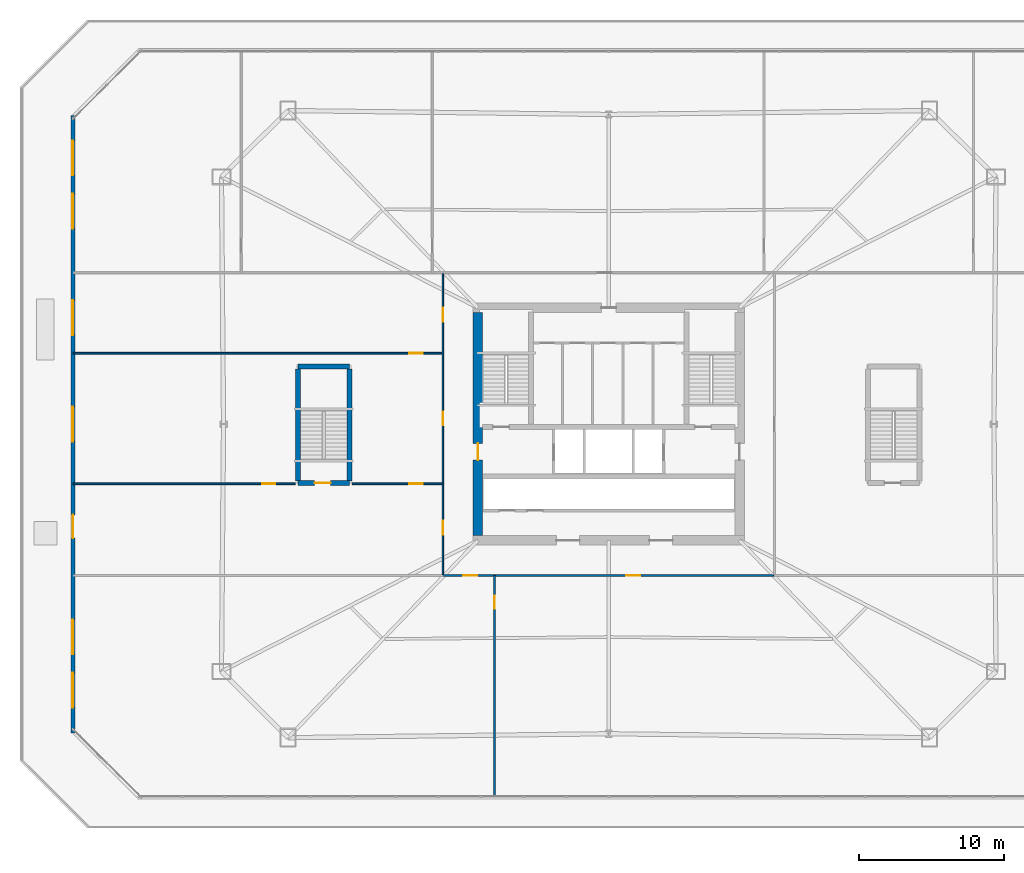
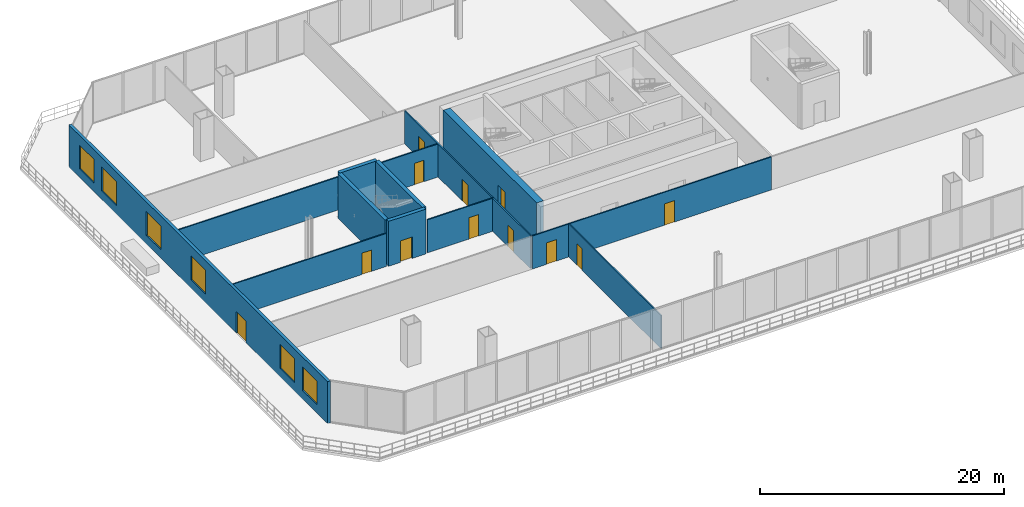
# One storey, part 25 of 31: 12 doors, 12 walls, 6 windows, 18 openings.
"""IFC4 building model written with IfcOpenShell, lengths in metres."""

from ifc_helpers import new_model, si_unit, direction, frame, frame_2d, origin, place, context, subcontext, project, spatial, rectangle, extrude, material, layer, layer_set, type_object, element, fill, save


model = new_model("IFC4")

# Units and contexts
model_context = context("Model", 3, precision=1e-05, world=origin(), true_north=direction((0.0, 1.0)))
body_context = subcontext(model_context, "Body", "Model", "MODEL_VIEW")
ifc_project = project(units=[si_unit("LENGTHUNIT", "METRE"), si_unit("AREAUNIT", "SQUARE_METRE"), si_unit("VOLUMEUNIT", "CUBIC_METRE"), si_unit("PLANEANGLEUNIT", "RADIAN"), si_unit("MASSUNIT", "GRAM", prefix="KILO")], contexts=[model_context])

# Site, building, storey
site_placement = place(None, origin())
site = spatial("IfcSite", under=ifc_project, at=site_placement, CompositionType="ELEMENT")
building_placement = place(site_placement, origin())
building = spatial("IfcBuilding", under=site, at=building_placement, Name="Caelvoria Tower", CompositionType="ELEMENT")
storey_placement = place(building_placement, frame((0.0, 0.0, 9.5)))
storey = spatial("IfcBuildingStorey", under=building, at=storey_placement, Name="L02", CompositionType="ELEMENT", Elevation=9.5)

# Wall, opening, door
ifc_material_1 = material(Name="Concrete C50/60", Category="concrete")
ifc_layer_1 = layer(ifc_material_1, 0.35009765625, Name="Concrete C50/60")
ifc_layer_set_1 = layer_set([ifc_layer_1], Name="Core Internal Shear Wall 350 - Concrete C50/60")
wall_type_1 = type_object("IfcWallType", Name="Core Internal Shear Wall 350", PredefinedType="SHEAR", material=ifc_layer_set_1)
wall_1_placement = place(storey_placement, frame((24.625, 27.949951171875, 0.0), z_axis=(0.0, 0.0, 1.0), x_axis=(1.0, 0.0, 0.0)))
wall_1 = element("IfcWall", 1, at=wall_1_placement, inside=storey, type_object=wall_type_1, Name="Podium Stair Shear Wall L02 ST3 S", PredefinedType="SHEAR", context=body_context, shape_type="SweptSolid", body=[
    extrude(rectangle(XDim=3.550048828125, YDim=0.35009765625, at=frame_2d((1.77490234375, 0.0))), origin(), (0.0, 0.0, 1.0), 4.5),
])
opening_1_placement = place(wall_1_placement, frame((1.14990234375, 0.0, 0.0)))
opening_1 = element("IfcOpeningElement", 2, at=opening_1_placement, cuts=wall_1, Name="Opening ID-01", PredefinedType="OPENING", context=body_context, shape_type="SweptSolid", body=[
    extrude(rectangle(XDim=1.10009765625, YDim=2.14990234375, at=frame_2d((0.550048828125, 1.074951171875))), frame((0.0, 0.18505859375, 0.0), z_axis=(0.0, -1.0, 0.0), x_axis=(1.0, 0.0, 0.0)), (0.0, 0.0, 1.0), 0.3701171875),
])
ifc_material_2 = material(Name="Painted Hollow Steel Fire Door", Category="steel")
door_type_1 = type_object("IfcDoorType", Name="Fire Door FD90S 1100x2150", OperationType="NOTDEFINED", PredefinedType="DOOR", material=ifc_material_2)
door_1_placement = place(opening_1_placement, origin())
door_1 = element("IfcDoor", 3, at=door_1_placement, inside=storey, type_object=door_type_1, Name="Podium Stair Door L02 ST3", OperationType="SINGLE_SWING_RIGHT", OverallHeight=2.14990234375, OverallWidth=1.10009765625, PredefinedType="DOOR", context=body_context, shape_type="SweptSolid", body=[
    extrude(rectangle(XDim=1.10009765625, YDim=2.14990234375, at=frame_2d((0.550048828125, 1.074951171875))), frame((0.0, 0.02490234375, 0.0), z_axis=(0.0, -1.0, 0.0), x_axis=(1.0, 0.0, 0.0)), (0.0, 0.0, 1.0), 0.050048828125),
])
fill(opening_1, door_1)

# Walls
wall_2_placement = place(storey_placement, frame((24.625, 35.949951171875, 0.0), z_axis=(0.0, 0.0, 1.0), x_axis=(1.0, 0.0, 0.0)))
element("IfcWall", 4, at=wall_2_placement, inside=storey, type_object=wall_type_1, Name="Podium Stair Shear Wall L02 ST3 N", PredefinedType="SHEAR", context=body_context, shape_type="SweptSolid", body=[
    extrude(rectangle(XDim=3.550048828125, YDim=0.35009765625, at=frame_2d((1.77490234375, 0.0))), origin(), (0.0, 0.0, 1.0), 4.5),
])
for number, where, z_axis, x_axis, name in (
    (5, (24.625, 28.10009765625, 0.0), (0.0, 0.0, 1.0), (0.0, 1.0, 0.0), "Podium Stair Shear Wall L02 ST3 W"),
    (6, (28.175048828125, 28.10009765625, 0.0), (0.0, 0.0, 1.0), (0.0, 1.0, 0.0), "Podium Stair Shear Wall L02 ST3 E"),
):
    element("IfcWall", number, at=place(storey_placement, frame(where, z_axis=z_axis, x_axis=x_axis)), inside=storey, type_object=wall_type_1, Name=name, PredefinedType="SHEAR", context=body_context, shape_type="SweptSolid", body=[
        extrude(rectangle(XDim=7.699951171875, YDim=0.35009765625, at=frame_2d((3.85009765625, 0.0))), origin(), (0.0, 0.0, 1.0), 4.5),
    ])

# Wall, openings, windows, door
ifc_material_3 = material(Name="Precast Concrete C40/50 with Bronze Cladding", Category="concrete")
ifc_layer_2 = layer(ifc_material_3, 0.280029296875, Name="Precast Concrete C40/50 with Bronze Cladding")
ifc_layer_set_2 = layer_set([ifc_layer_2], Name="Exterior Precast Concrete C40/50 Bronze-Clad Facade Wall 280 - Precast Concrete C40/50 with Bronze Cladding")
wall_type_2 = type_object("IfcWallType", Name="Exterior Precast Concrete C40/50 Bronze-Clad Facade Wall 280", PredefinedType="STANDARD", material=ifc_layer_set_2)
wall_3_placement = place(storey_placement, frame((9.139892578125, 53.239990234375, 0.0), z_axis=(0.0, 0.0, 1.0), x_axis=(0.0, -1.0, 0.0)))
wall_3 = element("IfcWall", 7, at=wall_3_placement, inside=storey, type_object=wall_type_2, Name="Exterior Facade Wall L02-E6", PredefinedType="STANDARD", context=body_context, shape_type="SweptSolid", body=[
    extrude(rectangle(XDim=42.47998046875, YDim=0.280029296875, at=frame_2d((21.239990234375, 0.0))), origin(), (0.0, 0.0, 1.0), 4.2099609375),
])
opening_2_placement = place(wall_3_placement, frame((27.489990234375, 0.0, 0.0)))
opening_2 = element("IfcOpeningElement", 8, at=opening_2_placement, cuts=wall_3, Name="Opening ED-03", PredefinedType="OPENING", context=body_context, shape_type="SweptSolid", body=[
    extrude(rectangle(XDim=1.60009765625, YDim=2.14990234375, at=frame_2d((0.800048828125, 1.074951171875))), frame((0.0, 0.14990234375, 0.0), z_axis=(0.0, -1.0, 0.0), x_axis=(1.0, 0.0, 0.0)), (0.0, 0.0, 1.0), 0.300048828125),
])
opening_3_placement = place(wall_3_placement, frame((1.73095703125, 0.0, 0.85009765625)))
opening_3 = element("IfcOpeningElement", 9, at=opening_3_placement, cuts=wall_3, Name="Opening WN-04", PredefinedType="OPENING", context=body_context, shape_type="SweptSolid", body=[
    extrude(rectangle(XDim=2.39990234375, YDim=2.39990234375, at=frame_2d((1.199951171875, 1.199951171875))), frame((0.0, 0.14990234375, 0.0), z_axis=(0.0, -1.0, 0.0), x_axis=(1.0, 0.0, 0.0)), (0.0, 0.0, 1.0), 0.300048828125),
])
opening_4_placement = place(wall_3_placement, frame((5.392578125, 0.0, 0.85009765625)))
opening_4 = element("IfcOpeningElement", 10, at=opening_4_placement, cuts=wall_3, Name="Opening WN-04", PredefinedType="OPENING", context=body_context, shape_type="SweptSolid", body=[
    extrude(rectangle(XDim=2.39990234375, YDim=2.39990234375, at=frame_2d((1.199951171875, 1.199951171875))), frame((0.0, 0.14990234375, 0.0), z_axis=(0.0, -1.0, 0.0), x_axis=(1.0, 0.0, 0.0)), (0.0, 0.0, 1.0), 0.300048828125),
])
opening_5_placement = place(wall_3_placement, frame((12.71630859375, 0.0, 0.85009765625)))
opening_5 = element("IfcOpeningElement", 11, at=opening_5_placement, cuts=wall_3, Name="Opening WN-04", PredefinedType="OPENING", context=body_context, shape_type="SweptSolid", body=[
    extrude(rectangle(XDim=2.39990234375, YDim=2.39990234375, at=frame_2d((1.199951171875, 1.199951171875))), frame((0.0, 0.14990234375, 0.0), z_axis=(0.0, -1.0, 0.0), x_axis=(1.0, 0.0, 0.0)), (0.0, 0.0, 1.0), 0.300048828125),
])
opening_6_placement = place(wall_3_placement, frame((20.0400390625, 0.0, 0.85009765625)))
opening_6 = element("IfcOpeningElement", 12, at=opening_6_placement, cuts=wall_3, Name="Opening WN-04", PredefinedType="OPENING", context=body_context, shape_type="SweptSolid", body=[
    extrude(rectangle(XDim=2.39990234375, YDim=2.39990234375, at=frame_2d((1.199951171875, 1.199951171875))), frame((0.0, 0.14990234375, 0.0), z_axis=(0.0, -1.0, 0.0), x_axis=(1.0, 0.0, 0.0)), (0.0, 0.0, 1.0), 0.300048828125),
])
opening_7_placement = place(wall_3_placement, frame((34.687255859375, 0.0, 0.85009765625)))
opening_7 = element("IfcOpeningElement", 13, at=opening_7_placement, cuts=wall_3, Name="Opening WN-04", PredefinedType="OPENING", context=body_context, shape_type="SweptSolid", body=[
    extrude(rectangle(XDim=2.39990234375, YDim=2.39990234375, at=frame_2d((1.199951171875, 1.199951171875))), frame((0.0, 0.14990234375, 0.0), z_axis=(0.0, -1.0, 0.0), x_axis=(1.0, 0.0, 0.0)), (0.0, 0.0, 1.0), 0.300048828125),
])
opening_8_placement = place(wall_3_placement, frame((38.34912109375, 0.0, 0.85009765625)))
opening_8 = element("IfcOpeningElement", 14, at=opening_8_placement, cuts=wall_3, Name="Opening WN-04", PredefinedType="OPENING", context=body_context, shape_type="SweptSolid", body=[
    extrude(rectangle(XDim=2.39990234375, YDim=2.39990234375, at=frame_2d((1.199951171875, 1.199951171875))), frame((0.0, 0.14990234375, 0.0), z_axis=(0.0, -1.0, 0.0), x_axis=(1.0, 0.0, 0.0)), (0.0, 0.0, 1.0), 0.300048828125),
])
ifc_material_4 = material(Name="Low-E Tinted Glass in Bronze Aluminium Frame", Category="aluminium")
window_type = type_object("IfcWindowType", Name="Podium Commercial Ribbon Window 2400x2400", PartitioningType="SINGLE_PANEL", PredefinedType="WINDOW", material=ifc_material_4)
window_1_placement = place(opening_3_placement, origin())
window_1 = element("IfcWindow", 15, at=window_1_placement, inside=storey, type_object=window_type, Name="Facade Window L02-E6-00", OverallHeight=2.39990234375, OverallWidth=2.39990234375, PartitioningType="SINGLE_PANEL", PredefinedType="WINDOW", context=body_context, shape_type="SweptSolid", body=[
    extrude(rectangle(XDim=2.39990234375, YDim=2.39990234375, at=frame_2d((1.199951171875, 1.199951171875))), frame((0.0, 0.030029296875, 0.0), z_axis=(0.0, -1.0, 0.0), x_axis=(1.0, 0.0, 0.0)), (0.0, 0.0, 1.0), 0.06005859375),
])
fill(opening_3, window_1)
window_2_placement = place(opening_4_placement, origin())
window_2 = element("IfcWindow", 16, at=window_2_placement, inside=storey, type_object=window_type, Name="Facade Window L02-E6-01", OverallHeight=2.39990234375, OverallWidth=2.39990234375, PartitioningType="SINGLE_PANEL", PredefinedType="WINDOW", context=body_context, shape_type="SweptSolid", body=[
    extrude(rectangle(XDim=2.39990234375, YDim=2.39990234375, at=frame_2d((1.199951171875, 1.199951171875))), frame((0.0, 0.030029296875, 0.0), z_axis=(0.0, -1.0, 0.0), x_axis=(1.0, 0.0, 0.0)), (0.0, 0.0, 1.0), 0.06005859375),
])
fill(opening_4, window_2)
window_3_placement = place(opening_5_placement, origin())
window_3 = element("IfcWindow", 17, at=window_3_placement, inside=storey, type_object=window_type, Name="Facade Window L02-E6-03", OverallHeight=2.39990234375, OverallWidth=2.39990234375, PartitioningType="SINGLE_PANEL", PredefinedType="WINDOW", context=body_context, shape_type="SweptSolid", body=[
    extrude(rectangle(XDim=2.39990234375, YDim=2.39990234375, at=frame_2d((1.199951171875, 1.199951171875))), frame((0.0, 0.030029296875, 0.0), z_axis=(0.0, -1.0, 0.0), x_axis=(1.0, 0.0, 0.0)), (0.0, 0.0, 1.0), 0.06005859375),
])
fill(opening_5, window_3)
window_4_placement = place(opening_6_placement, origin())
window_4 = element("IfcWindow", 18, at=window_4_placement, inside=storey, type_object=window_type, Name="Facade Window L02-E6-05", OverallHeight=2.39990234375, OverallWidth=2.39990234375, PartitioningType="SINGLE_PANEL", PredefinedType="WINDOW", context=body_context, shape_type="SweptSolid", body=[
    extrude(rectangle(XDim=2.39990234375, YDim=2.39990234375, at=frame_2d((1.199951171875, 1.199951171875))), frame((0.0, 0.030029296875, 0.0), z_axis=(0.0, -1.0, 0.0), x_axis=(1.0, 0.0, 0.0)), (0.0, 0.0, 1.0), 0.06005859375),
])
fill(opening_6, window_4)
window_5_placement = place(opening_7_placement, origin())
window_5 = element("IfcWindow", 19, at=window_5_placement, inside=storey, type_object=window_type, Name="Facade Window L02-E6-09", OverallHeight=2.39990234375, OverallWidth=2.39990234375, PartitioningType="SINGLE_PANEL", PredefinedType="WINDOW", context=body_context, shape_type="SweptSolid", body=[
    extrude(rectangle(XDim=2.39990234375, YDim=2.39990234375, at=frame_2d((1.199951171875, 1.199951171875))), frame((0.0, 0.030029296875, 0.0), z_axis=(0.0, -1.0, 0.0), x_axis=(1.0, 0.0, 0.0)), (0.0, 0.0, 1.0), 0.06005859375),
])
fill(opening_7, window_5)
window_6_placement = place(opening_8_placement, origin())
window_6 = element("IfcWindow", 20, at=window_6_placement, inside=storey, type_object=window_type, Name="Facade Window L02-E6-10", OverallHeight=2.39990234375, OverallWidth=2.39990234375, PartitioningType="SINGLE_PANEL", PredefinedType="WINDOW", context=body_context, shape_type="SweptSolid", body=[
    extrude(rectangle(XDim=2.39990234375, YDim=2.39990234375, at=frame_2d((1.199951171875, 1.199951171875))), frame((0.0, 0.030029296875, 0.0), z_axis=(0.0, -1.0, 0.0), x_axis=(1.0, 0.0, 0.0)), (0.0, 0.0, 1.0), 0.06005859375),
])
fill(opening_8, window_6)
ifc_material_5 = material(Name="Anodised Bronze Aluminium and Laminated Glass", Category="aluminium")
door_type_2 = type_object("IfcDoorType", Name="Terrace Garden Double Glazed Door 1600x2150", OperationType="NOTDEFINED", PredefinedType="DOOR", material=ifc_material_5)
door_2_placement = place(opening_2_placement, origin())
door_2 = element("IfcDoor", 21, at=door_2_placement, inside=storey, type_object=door_type_2, Name="Terrace Roof Garden Door L02-W", OperationType="DOUBLE_DOOR_SINGLE_SWING", OverallHeight=2.14990234375, OverallWidth=1.60009765625, PredefinedType="DOOR", context=body_context, shape_type="SweptSolid", body=[
    extrude(rectangle(XDim=1.60009765625, YDim=2.14990234375, at=frame_2d((0.800048828125, 1.074951171875))), frame((0.0, 0.02490234375, 0.0), z_axis=(0.0, -1.0, 0.0), x_axis=(1.0, 0.0, 0.0)), (0.0, 0.0, 1.0), 0.050048828125),
])
fill(opening_2, door_2)

# Wall, opening, door
ifc_material_6 = material(Name="Concrete C60/75", Category="concrete")
ifc_layer_3 = layer(ifc_material_6, 0.64990234375, Name="Concrete C60/75")
ifc_layer_set_3 = layer_set([ifc_layer_3], Name="Lower Core Shear Wall 650 - Concrete C60/75")
wall_type_3 = type_object("IfcWallType", Name="Lower Core Shear Wall 650", PredefinedType="SHEAR", material=ifc_layer_set_3)
wall_4_placement = place(storey_placement, frame((37.0, 24.324951171875, 0.0), z_axis=(0.0, 0.0, 1.0), x_axis=(0.0, 1.0, 0.0)))
wall_4 = element("IfcWall", 22, at=wall_4_placement, inside=storey, type_object=wall_type_3, Name="Core Shear Wall L02 W", PredefinedType="SHEAR", context=body_context, shape_type="SweptSolid", body=[
    extrude(rectangle(XDim=15.35009765625, YDim=0.64990234375, at=frame_2d((7.675048828125, 0.0))), origin(), (0.0, 0.0, 1.0), 4.219970703125),
])
opening_9_placement = place(wall_4_placement, frame((5.199951171875, 0.0, 0.0)))
opening_9 = element("IfcOpeningElement", 23, at=opening_9_placement, cuts=wall_4, Name="Opening ID-02", PredefinedType="OPENING", context=body_context, shape_type="SweptSolid", body=[
    extrude(rectangle(XDim=1.14990234375, YDim=2.14990234375, at=frame_2d((0.574951171875, 1.074951171875))), frame((0.0, 0.3349609375, 0.0), z_axis=(0.0, -1.0, 0.0), x_axis=(1.0, 0.0, 0.0)), (0.0, 0.0, 1.0), 0.669921875),
])
door_type_3 = type_object("IfcDoorType", Name="Fire Door FD60S 1150x2150", OperationType="NOTDEFINED", PredefinedType="DOOR", material=ifc_material_2)
door_3_placement = place(opening_9_placement, origin())
door_3 = element("IfcDoor", 24, at=door_3_placement, inside=storey, type_object=door_type_3, Name="Core Door DR-L02-FFLW-OUT", OperationType="SINGLE_SWING_LEFT", OverallHeight=2.14990234375, OverallWidth=1.14990234375, PredefinedType="DOOR", context=body_context, shape_type="SweptSolid", body=[
    extrude(rectangle(XDim=1.14990234375, YDim=2.14990234375, at=frame_2d((0.574951171875, 1.074951171875))), frame((0.0, 0.02490234375, 0.0), z_axis=(0.0, -1.0, 0.0), x_axis=(1.0, 0.0, 0.0)), (0.0, 0.0, 1.0), 0.050048828125),
])
fill(opening_9, door_3)

ifc_material_7 = material(Name="Acoustic Timber-Clad Operable Panel", Category="wood")
ifc_layer_4 = layer(ifc_material_7, 0.125, Name="Acoustic Timber-Clad Operable Panel")
ifc_layer_set_4 = layer_set([ifc_layer_4], Name="Operable Acoustic Folding Partition Wall 125 - Acoustic Timber-Clad Operable Panel")
wall_type_4 = type_object("IfcWallType", Name="Operable Acoustic Folding Partition Wall 125", PredefinedType="MOVABLE", material=ifc_layer_set_4)
wall_5_placement = place(storey_placement, frame((38.14892578125, 21.590087890625, 0.0), z_axis=(0.0, 0.0, 1.0), x_axis=(0.0, -1.0, 0.0)))
wall_5 = element("IfcWall", 25, at=wall_5_placement, inside=storey, type_object=wall_type_4, Name="Interior Partition IW-L02-SD-00-0", PredefinedType="MOVABLE", context=body_context, shape_type="SweptSolid", body=[
    extrude(rectangle(XDim=15.210205078125, YDim=0.1201171875, at=frame_2d((7.60498046875, 0.0))), origin(), (0.0, 0.0, 1.0), 3.31005859375),
])
opening_10_placement = place(wall_5_placement, frame((1.39990234375, 0.0, 0.0)))
opening_10 = element("IfcOpeningElement", 26, at=opening_10_placement, cuts=wall_5, Name="Opening ID-06", PredefinedType="OPENING", context=body_context, shape_type="SweptSolid", body=[
    extrude(rectangle(XDim=0.89990234375, YDim=2.14990234375, at=frame_2d((0.449951171875, 1.074951171875))), frame((0.0, 0.070068359375, 0.0), z_axis=(0.0, -1.0, 0.0), x_axis=(1.0, 0.0, 0.0)), (0.0, 0.0, 1.0), 0.14013671875),
])
ifc_material_8 = material(Name="Engineered Andean Oak Veneer Door", Category="wood")
door_type_4 = type_object("IfcDoorType", Name="Interior Timber Door 900x2150", OperationType="NOTDEFINED", PredefinedType="DOOR", material=ifc_material_8)
door_4_placement = place(opening_10_placement, origin())
door_4 = element("IfcDoor", 27, at=door_4_placement, inside=storey, type_object=door_type_4, Name="Interior Door DR-L02-SM-00-0", OperationType="SINGLE_SWING_RIGHT", OverallHeight=2.14990234375, OverallWidth=0.89990234375, PredefinedType="DOOR", context=body_context, shape_type="SweptSolid", body=[
    extrude(rectangle(XDim=0.89990234375, YDim=2.14990234375, at=frame_2d((0.449951171875, 1.074951171875))), frame((0.0, 0.02490234375, 0.0), z_axis=(0.0, -1.0, 0.0), x_axis=(1.0, 0.0, 0.0)), (0.0, 0.0, 1.0), 0.050048828125),
])
fill(opening_10, door_4)

# Wall, openings, doors
ifc_material_9 = material(Name="Acoustic Gypsum Board on Light-Gauge Stud", Category="gypsum")
ifc_layer_5 = layer(ifc_material_9, 0.1201171875, Name="Acoustic Gypsum Board on Light-Gauge Stud")
ifc_layer_set_5 = layer_set([ifc_layer_5], Name="Tenant Suite Acoustic Partition Wall 120 - Acoustic Gypsum Board on Light-Gauge Stud")
wall_type_5 = type_object("IfcWallType", Name="Tenant Suite Acoustic Partition Wall 120", PredefinedType="PARTITIONING", material=ifc_layer_set_5)
wall_6_placement = place(storey_placement, frame((34.64990234375, 21.590087890625, 0.0), z_axis=(0.0, 0.0, 1.0), x_axis=(1.0, 0.0, 0.0)))
wall_6 = element("IfcWall", 28, at=wall_6_placement, inside=storey, type_object=wall_type_5, Name="Interior Partition IW-L02-SCW-0", PredefinedType="PARTITIONING", context=body_context, shape_type="SweptSolid", body=[
    extrude(rectangle(XDim=22.7001953125, YDim=0.1201171875, at=frame_2d((11.35009765625, 0.0))), origin(), (0.0, 0.0, 1.0), 3.31005859375),
])
opening_11_placement = place(wall_6_placement, frame((1.344482421875, 0.0, 0.0)))
opening_11 = element("IfcOpeningElement", 29, at=opening_11_placement, cuts=wall_6, Name="Opening ID-05", PredefinedType="OPENING", context=body_context, shape_type="SweptSolid", body=[
    extrude(rectangle(XDim=0.949951171875, YDim=2.14990234375, at=frame_2d((0.47509765625, 1.074951171875))), frame((0.0, 0.070068359375, 0.0), z_axis=(0.0, -1.0, 0.0), x_axis=(1.0, 0.0, 0.0)), (0.0, 0.0, 1.0), 0.14013671875),
])
opening_12_placement = place(wall_6_placement, frame((12.554443359375, 0.0, 0.0)))
opening_12 = element("IfcOpeningElement", 30, at=opening_12_placement, cuts=wall_6, Name="Opening ID-05", PredefinedType="OPENING", context=body_context, shape_type="SweptSolid", body=[
    extrude(rectangle(XDim=0.949951171875, YDim=2.14990234375, at=frame_2d((0.47509765625, 1.074951171875))), frame((0.0, 0.070068359375, 0.0), z_axis=(0.0, -1.0, 0.0), x_axis=(1.0, 0.0, 0.0)), (0.0, 0.0, 1.0), 0.14013671875),
])
door_type_5 = type_object("IfcDoorType", Name="Interior Timber Door 950x2150", OperationType="NOTDEFINED", PredefinedType="DOOR", material=ifc_material_8)
door_5_placement = place(opening_11_placement, origin())
door_5 = element("IfcDoor", 31, at=door_5_placement, inside=storey, type_object=door_type_5, Name="Interior Door DR-L02-SC-00-0", OperationType="SINGLE_SWING_LEFT", OverallHeight=2.14990234375, OverallWidth=0.949951171875, PredefinedType="DOOR", context=body_context, shape_type="SweptSolid", body=[
    extrude(rectangle(XDim=0.949951171875, YDim=2.14990234375, at=frame_2d((0.47509765625, 1.074951171875))), frame((0.0, 0.02490234375, 0.0), z_axis=(0.0, -1.0, 0.0), x_axis=(1.0, 0.0, 0.0)), (0.0, 0.0, 1.0), 0.050048828125),
])
fill(opening_11, door_5)
door_6_placement = place(opening_12_placement, origin())
door_6 = element("IfcDoor", 32, at=door_6_placement, inside=storey, type_object=door_type_5, Name="Interior Door DR-L02-SC-01-0", OperationType="SINGLE_SWING_RIGHT", OverallHeight=2.14990234375, OverallWidth=0.949951171875, PredefinedType="DOOR", context=body_context, shape_type="SweptSolid", body=[
    extrude(rectangle(XDim=0.949951171875, YDim=2.14990234375, at=frame_2d((0.47509765625, 1.074951171875))), frame((0.0, 0.02490234375, 0.0), z_axis=(0.0, -1.0, 0.0), x_axis=(1.0, 0.0, 0.0)), (0.0, 0.0, 1.0), 0.050048828125),
])
fill(opening_12, door_6)

# Wall, opening, door
wall_7_placement = place(storey_placement, frame((34.590087890625, 27.901611328125, 0.0), z_axis=(0.0, 0.0, 1.0), x_axis=(-1.0, 0.0, 0.0)))
wall_7 = element("IfcWall", 33, at=wall_7_placement, inside=storey, type_object=wall_type_5, Name="Interior Partition IW-L02-WD-00-0", PredefinedType="PARTITIONING", context=body_context, shape_type="SweptSolid", body=[
    extrude(rectangle(XDim=6.239990234375, YDim=0.1201171875, at=frame_2d((3.1201171875, 0.0))), origin(), (0.0, 0.0, 1.0), 3.31005859375),
])
opening_13_placement = place(wall_7_placement, frame((1.39990234375, 0.0, 0.0)))
opening_13 = element("IfcOpeningElement", 34, at=opening_13_placement, cuts=wall_7, Name="Opening ID-06", PredefinedType="OPENING", context=body_context, shape_type="SweptSolid", body=[
    extrude(rectangle(XDim=0.89990234375, YDim=2.14990234375, at=frame_2d((0.449951171875, 1.074951171875))), frame((0.0, 0.070068359375, 0.0), z_axis=(0.0, -1.0, 0.0), x_axis=(1.0, 0.0, 0.0)), (0.0, 0.0, 1.0), 0.14013671875),
])
door_7_placement = place(opening_13_placement, origin())
door_7 = element("IfcDoor", 35, at=door_7_placement, inside=storey, type_object=door_type_4, Name="Interior Door DR-L02-WM-00-0", OperationType="SINGLE_SWING_RIGHT", OverallHeight=2.14990234375, OverallWidth=0.89990234375, PredefinedType="DOOR", context=body_context, shape_type="SweptSolid", body=[
    extrude(rectangle(XDim=0.89990234375, YDim=2.14990234375, at=frame_2d((0.449951171875, 1.074951171875))), frame((0.0, 0.02490234375, 0.0), z_axis=(0.0, -1.0, 0.0), x_axis=(1.0, 0.0, 0.0)), (0.0, 0.0, 1.0), 0.050048828125),
])
fill(opening_13, door_7)

wall_8_placement = place(storey_placement, frame((24.449951171875, 27.901611328125, 0.0), z_axis=(0.0, 0.0, 1.0), x_axis=(-1.0, 0.0, 0.0)))
wall_8 = element("IfcWall", 36, at=wall_8_placement, inside=storey, type_object=wall_type_5, Name="Interior Partition IW-L02-WD-00-1", PredefinedType="PARTITIONING", context=body_context, shape_type="SweptSolid", body=[
    extrude(rectangle(XDim=15.27001953125, YDim=0.1201171875, at=frame_2d((7.635009765625, 0.0))), origin(), (0.0, 0.0, 1.0), 3.31005859375),
])
opening_14_placement = place(wall_8_placement, frame((1.39990234375, 0.0, 0.0)))
opening_14 = element("IfcOpeningElement", 37, at=opening_14_placement, cuts=wall_8, Name="Opening ID-06", PredefinedType="OPENING", context=body_context, shape_type="SweptSolid", body=[
    extrude(rectangle(XDim=0.89990234375, YDim=2.14990234375, at=frame_2d((0.449951171875, 1.074951171875))), frame((0.0, 0.070068359375, 0.0), z_axis=(0.0, -1.0, 0.0), x_axis=(1.0, 0.0, 0.0)), (0.0, 0.0, 1.0), 0.14013671875),
])
door_8_placement = place(opening_14_placement, origin())
door_8 = element("IfcDoor", 38, at=door_8_placement, inside=storey, type_object=door_type_4, Name="Interior Door DR-L02-WM-00-1", OperationType="SINGLE_SWING_RIGHT", OverallHeight=2.14990234375, OverallWidth=0.89990234375, PredefinedType="DOOR", context=body_context, shape_type="SweptSolid", body=[
    extrude(rectangle(XDim=0.89990234375, YDim=2.14990234375, at=frame_2d((0.449951171875, 1.074951171875))), frame((0.0, 0.02490234375, 0.0), z_axis=(0.0, -1.0, 0.0), x_axis=(1.0, 0.0, 0.0)), (0.0, 0.0, 1.0), 0.050048828125),
])
fill(opening_14, door_8)

wall_9_placement = place(storey_placement, frame((34.590087890625, 36.88037109375, 0.0), z_axis=(0.0, 0.0, 1.0), x_axis=(-1.0, 0.0, 0.0)))
wall_9 = element("IfcWall", 39, at=wall_9_placement, inside=storey, type_object=wall_type_5, Name="Interior Partition IW-L02-WD-01-0", PredefinedType="PARTITIONING", context=body_context, shape_type="SweptSolid", body=[
    extrude(rectangle(XDim=25.41015625, YDim=0.1201171875, at=frame_2d((12.705078125, 0.0))), origin(), (0.0, 0.0, 1.0), 3.31005859375),
])
opening_15_placement = place(wall_9_placement, frame((1.39990234375, 0.0, 0.0)))
opening_15 = element("IfcOpeningElement", 40, at=opening_15_placement, cuts=wall_9, Name="Opening ID-06", PredefinedType="OPENING", context=body_context, shape_type="SweptSolid", body=[
    extrude(rectangle(XDim=0.89990234375, YDim=2.14990234375, at=frame_2d((0.449951171875, 1.074951171875))), frame((0.0, 0.070068359375, 0.0), z_axis=(0.0, -1.0, 0.0), x_axis=(1.0, 0.0, 0.0)), (0.0, 0.0, 1.0), 0.14013671875),
])
door_9_placement = place(opening_15_placement, origin())
door_9 = element("IfcDoor", 41, at=door_9_placement, inside=storey, type_object=door_type_4, Name="Interior Door DR-L02-WM-01-0", OperationType="SINGLE_SWING_LEFT", OverallHeight=2.14990234375, OverallWidth=0.89990234375, PredefinedType="DOOR", context=body_context, shape_type="SweptSolid", body=[
    extrude(rectangle(XDim=0.89990234375, YDim=2.14990234375, at=frame_2d((0.449951171875, 1.074951171875))), frame((0.0, 0.02490234375, 0.0), z_axis=(0.0, -1.0, 0.0), x_axis=(1.0, 0.0, 0.0)), (0.0, 0.0, 1.0), 0.050048828125),
])
fill(opening_15, door_9)

# Wall, openings, doors
wall_10_placement = place(storey_placement, frame((34.590087890625, 21.64990234375, 0.0), z_axis=(0.0, 0.0, 1.0), x_axis=(0.0, 1.0, 0.0)))
wall_10 = element("IfcWall", 42, at=wall_10_placement, inside=storey, type_object=wall_type_5, Name="Interior Partition IW-L02-WCW-0", PredefinedType="PARTITIONING", context=body_context, shape_type="SweptSolid", body=[
    extrude(rectangle(XDim=20.7001953125, YDim=0.1201171875, at=frame_2d((10.35009765625, 0.0))), origin(), (0.0, 0.0, 1.0), 3.31005859375),
])
opening_16_placement = place(wall_10_placement, frame((2.750732421875, 0.0, 0.0)))
opening_16 = element("IfcOpeningElement", 43, at=opening_16_placement, cuts=wall_10, Name="Opening ID-05", PredefinedType="OPENING", context=body_context, shape_type="SweptSolid", body=[
    extrude(rectangle(XDim=0.949951171875, YDim=2.14990234375, at=frame_2d((0.47509765625, 1.074951171875))), frame((0.0, 0.070068359375, 0.0), z_axis=(0.0, -1.0, 0.0), x_axis=(1.0, 0.0, 0.0)), (0.0, 0.0, 1.0), 0.14013671875),
])
opening_17_placement = place(wall_10_placement, frame((10.26611328125, 0.0, 0.0)))
opening_17 = element("IfcOpeningElement", 44, at=opening_17_placement, cuts=wall_10, Name="Opening ID-05", PredefinedType="OPENING", context=body_context, shape_type="SweptSolid", body=[
    extrude(rectangle(XDim=0.949951171875, YDim=2.14990234375, at=frame_2d((0.47509765625, 1.074951171875))), frame((0.0, 0.070068359375, 0.0), z_axis=(0.0, -1.0, 0.0), x_axis=(1.0, 0.0, 0.0)), (0.0, 0.0, 1.0), 0.14013671875),
])
opening_18_placement = place(wall_10_placement, frame((17.39013671875, 0.0, 0.0)))
opening_18 = element("IfcOpeningElement", 45, at=opening_18_placement, cuts=wall_10, Name="Opening ID-05", PredefinedType="OPENING", context=body_context, shape_type="SweptSolid", body=[
    extrude(rectangle(XDim=0.949951171875, YDim=2.14990234375, at=frame_2d((0.47509765625, 1.074951171875))), frame((0.0, 0.070068359375, 0.0), z_axis=(0.0, -1.0, 0.0), x_axis=(1.0, 0.0, 0.0)), (0.0, 0.0, 1.0), 0.14013671875),
])
door_10_placement = place(opening_16_placement, origin())
door_10 = element("IfcDoor", 46, at=door_10_placement, inside=storey, type_object=door_type_5, Name="Interior Door DR-L02-WC-00-0", OperationType="SINGLE_SWING_LEFT", OverallHeight=2.14990234375, OverallWidth=0.949951171875, PredefinedType="DOOR", context=body_context, shape_type="SweptSolid", body=[
    extrude(rectangle(XDim=0.949951171875, YDim=2.14990234375, at=frame_2d((0.47509765625, 1.074951171875))), frame((0.0, 0.02490234375, 0.0), z_axis=(0.0, -1.0, 0.0), x_axis=(1.0, 0.0, 0.0)), (0.0, 0.0, 1.0), 0.050048828125),
])
fill(opening_16, door_10)
door_11_placement = place(opening_17_placement, origin())
door_11 = element("IfcDoor", 47, at=door_11_placement, inside=storey, type_object=door_type_5, Name="Interior Door DR-L02-WC-01-0", OperationType="SINGLE_SWING_RIGHT", OverallHeight=2.14990234375, OverallWidth=0.949951171875, PredefinedType="DOOR", context=body_context, shape_type="SweptSolid", body=[
    extrude(rectangle(XDim=0.949951171875, YDim=2.14990234375, at=frame_2d((0.47509765625, 1.074951171875))), frame((0.0, 0.02490234375, 0.0), z_axis=(0.0, -1.0, 0.0), x_axis=(1.0, 0.0, 0.0)), (0.0, 0.0, 1.0), 0.050048828125),
])
fill(opening_17, door_11)
door_12_placement = place(opening_18_placement, origin())
door_12 = element("IfcDoor", 48, at=door_12_placement, inside=storey, type_object=door_type_5, Name="Interior Door DR-L02-WC-02-0", OperationType="SINGLE_SWING_LEFT", OverallHeight=2.14990234375, OverallWidth=0.949951171875, PredefinedType="DOOR", context=body_context, shape_type="SweptSolid", body=[
    extrude(rectangle(XDim=0.949951171875, YDim=2.14990234375, at=frame_2d((0.47509765625, 1.074951171875))), frame((0.0, 0.02490234375, 0.0), z_axis=(0.0, -1.0, 0.0), x_axis=(1.0, 0.0, 0.0)), (0.0, 0.0, 1.0), 0.050048828125),
])
fill(opening_18, door_12)

save(model, "model.ifc")
